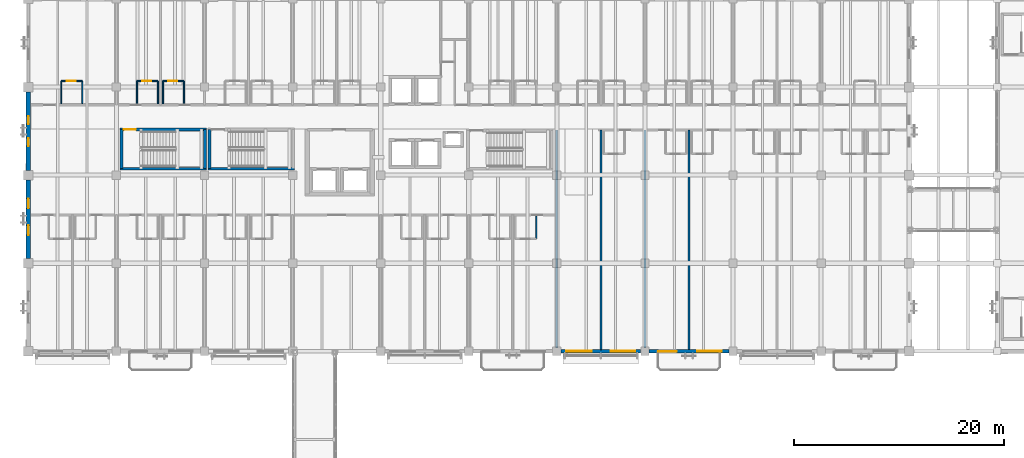
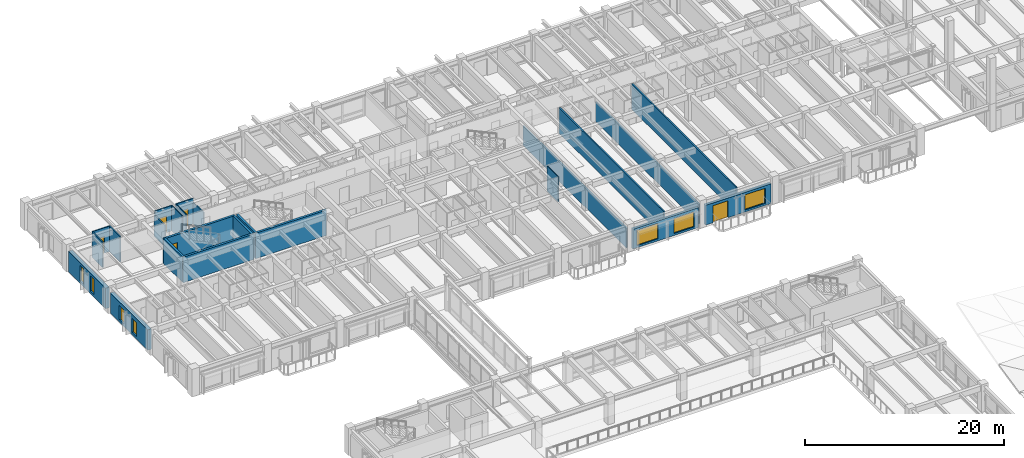
# One storey, part 85 of 123: 24 walls, 7 windows, 5 doors, 12 openings.
"""IFC4 building model written with IfcOpenShell, lengths in metres."""

import ifcopenshell
import ifcopenshell.guid

model = None  # the IFC model being written
_history = None  # IfcOwnerHistory: only IFC2X3 demands one
_inside = {}  # id of a spatial element -> (the spatial element, [elements in it])
_under = {}  # id of a project, library or spatial element -> (it, [spatial elements below it])
_declared = {}  # id of a project -> (the project, [libraries it declares])
_typed = {}  # id of a type object -> (the type object, [elements of that type])
_made_of = {}  # id of a material, layer set ... -> (it, [elements and type objects made of it])


def new_model(schema):
    """Start an empty IFC model of exactly this schema.

    Asked for "IFC4X3", IfcOpenShell would pick the latest addendum, in which some entities
    have other attributes; the version numbers below select the first issue.
    IFC2X3 requires an IfcOwnerHistory on every rooted entity: one is made here for all.
    """
    global model, _history
    if schema == "IFC4X3":
        model = ifcopenshell.file(schema_version=(4, 3, 0, 0))
    else:
        model = ifcopenshell.file(schema=schema)
    _inside.clear()
    _under.clear()
    _declared.clear()
    _typed.clear()
    _made_of.clear()
    _history = None
    if model.schema == "IFC2X3":
        org = make("IfcOrganization", Name="unknown")
        user = make(
            "IfcPersonAndOrganization",
            ThePerson=make("IfcPerson", FamilyName="unknown"),
            TheOrganization=org,
        )
        app = make(
            "IfcApplication",
            ApplicationDeveloper=org,
            Version="unknown",
            ApplicationFullName="unknown",
            ApplicationIdentifier="unknown",
        )
        _history = make(
            "IfcOwnerHistory",
            OwningUser=user,
            OwningApplication=app,
            ChangeAction="ADDED",
            CreationDate=0,
        )
    return model


def make(cls, **values):
    """One entity of the class cls with the attributes given. An attribute that is None is left unset."""
    return model.create_entity(
        cls, **{name: value for name, value in values.items() if value is not None}
    )


def rooted(cls, **values):
    """An entity with a GlobalId (a new one), such as an element, a storey or a relation."""
    return make(cls, GlobalId=ifcopenshell.guid.new(), OwnerHistory=_history, **values)


def si_unit(unit_type, name, prefix=None):
    """IfcSIUnit, for example si_unit("LENGTHUNIT", "METRE", prefix="MILLI")."""
    return make("IfcSIUnit", UnitType=unit_type, Prefix=prefix, Name=name)


def assignment(units):
    """IfcUnitAssignment: the units of a project."""
    return None if units is None else make("IfcUnitAssignment", Units=units)


def point(xyz):
    """IfcCartesianPoint."""
    return None if xyz is None else make("IfcCartesianPoint", Coordinates=xyz)


def direction(xyz):
    """IfcDirection."""
    return None if xyz is None else make("IfcDirection", DirectionRatios=xyz)


def frame(location, z_axis=None, x_axis=None):
    """IfcAxis2Placement3D, a coordinate frame: its origin and axes. An axis left out is left unset."""
    return make(
        "IfcAxis2Placement3D",
        Location=point(location),
        Axis=direction(z_axis),
        RefDirection=direction(x_axis),
    )


def frame_2d(location, x_axis=None):
    """IfcAxis2Placement2D, a coordinate frame in the plane: its origin and x axis."""
    return make(
        "IfcAxis2Placement2D", Location=point(location), RefDirection=direction(x_axis)
    )


def origin():
    """The frame at (0, 0, 0) with its axes left unset."""
    return frame((0.0, 0.0, 0.0))


def place(relative_to, where):
    """IfcLocalPlacement: puts the frame where relative to a parent placement (None: the world)."""
    return make(
        "IfcLocalPlacement", PlacementRelTo=relative_to, RelativePlacement=where
    )


def context(
    kind, dimensions, precision=None, world=None, true_north=None, identifier=None
):
    """IfcGeometricRepresentationContext, for example the 3D "Model" context."""
    return make(
        "IfcGeometricRepresentationContext",
        ContextIdentifier=identifier,
        ContextType=kind,
        CoordinateSpaceDimension=dimensions,
        Precision=precision,
        WorldCoordinateSystem=world,
        TrueNorth=true_north,
    )


def subcontext(parent, identifier, kind, view, scale=None):
    """IfcGeometricRepresentationSubContext, for example "Body" below "Model"."""
    return make(
        "IfcGeometricRepresentationSubContext",
        ContextIdentifier=identifier,
        ContextType=kind,
        ParentContext=parent,
        TargetScale=scale,
        TargetView=view,
    )


def project(units=None, contexts=None):
    """IfcProject with its units and contexts."""
    return rooted(
        "IfcProject",
        Name="project",
        RepresentationContexts=contexts,
        UnitsInContext=assignment(units),
    )


def spatial(cls, under=None, at=None, **own):
    """A site, building, storey or space (cls), placed at a placement, below another one or the project."""
    s = rooted(cls, ObjectPlacement=at, **own)
    if under is not None:
        _under.setdefault(under.id(), (under, []))[1].append(s)
    return s


def profile(cls, at=None, kind="AREA", **sizes):
    """A parametric profile (cls). Its sizes go by their IFC names, for example OverallWidth=200.0."""
    return make(cls, ProfileType=kind, Position=at, **sizes)


def rectangle(**sizes):
    """IfcRectangleProfileDef."""
    return profile("IfcRectangleProfileDef", **sizes)


def extrude(swept, where, along, depth):
    """IfcExtrudedAreaSolid: the profile swept, set in the frame where, extruded along a direction by depth."""
    return make(
        "IfcExtrudedAreaSolid",
        SweptArea=swept,
        Position=where,
        ExtrudedDirection=direction(along),
        Depth=depth,
    )


def shape(context_of_items, identifier, shape_type, items):
    """IfcShapeRepresentation: the items that make up one representation, for example the "Body"."""
    return make(
        "IfcShapeRepresentation",
        ContextOfItems=context_of_items,
        RepresentationIdentifier=identifier,
        RepresentationType=shape_type,
        Items=items,
    )


def material(Name=None, Category=None):
    """IfcMaterial."""
    return make("IfcMaterial", Name=Name, Category=Category)


def layer(
    of_material, thickness, ventilated=None, Name=None, Category=None, Priority=None
):
    """IfcMaterialLayer: one layer of a wall or slab, of a material (None: an air gap)."""
    return make(
        "IfcMaterialLayer",
        Material=of_material,
        LayerThickness=thickness,
        IsVentilated=ventilated,
        Name=Name,
        Category=Category,
        Priority=Priority,
    )


def layer_set(layers, Name=None):
    """IfcMaterialLayerSet."""
    return make("IfcMaterialLayerSet", MaterialLayers=layers, LayerSetName=Name)


def made_of(thing, what):
    """Note that an element or type object is made of a material, layer set ...; save() writes the relation."""
    if what is not None:
        _made_of.setdefault(what.id(), (what, []))[1].append(thing)
    return thing


def type_object(cls, material=None, **own):
    """A type object (cls), such as IfcWallType, which elements share."""
    return made_of(rooted(cls, **own), material)


def element(
    cls,
    number,
    at=None,
    inside=None,
    cuts=None,
    type_object=None,
    material=None,
    context=None,
    identifier="Body",
    shape_type=None,
    held_by="IfcProductDefinitionShape",
    body=None,
    shapes=None,
    **own,
):
    """One element of the class cls, such as IfcWall. Its Tag is "e" and its number.

    at: its placement. inside: the storey or other place that contains it. cuts: it is an
    opening in that element (IfcRelVoidsElement). A single representation is given by context,
    identifier, shape_type and body (its items); several are given by shapes. held_by: the class
    of the entity that holds the representations. save() writes the other relations.
    """
    e = rooted(cls, Tag="e%d" % number, ObjectPlacement=at, **own)
    if body is not None:
        shapes = [shape(context, identifier, shape_type, body)]
    if shapes is not None:
        e.Representation = make(held_by, Representations=shapes)
    if inside is not None:
        _inside.setdefault(inside.id(), (inside, []))[1].append(e)
    if cuts is not None:
        rooted(
            "IfcRelVoidsElement", RelatingBuildingElement=cuts, RelatedOpeningElement=e
        )
    if type_object is not None:
        _typed.setdefault(type_object.id(), (type_object, []))[1].append(e)
    return made_of(e, material)


def fill(opening, filler):
    """IfcRelFillsElement: the door or window that sits in an opening."""
    return rooted(
        "IfcRelFillsElement",
        RelatingOpeningElement=opening,
        RelatedBuildingElement=filler,
    )


def aggregate(whole, parts):
    """IfcRelAggregates: a whole, such as a stair, and the parts it consists of."""
    return rooted("IfcRelAggregates", RelatingObject=whole, RelatedObjects=parts)


def save(model, path):
    """Write the relations noted so far, then the file.

    IfcRelAggregates (storeys below a building ...), IfcRelContainedInSpatialStructure (elements
    in a storey), IfcRelDefinesByType, IfcRelAssociatesMaterial and IfcRelDeclares: one each for
    every whole, place, type object, material and project.
    """
    for whole, parts in _under.values():
        aggregate(whole, parts)
    for where, things in _inside.values():
        rooted(
            "IfcRelContainedInSpatialStructure",
            RelatedElements=things,
            RelatingStructure=where,
        )
    for kind, things in _typed.values():
        rooted("IfcRelDefinesByType", RelatedObjects=things, RelatingType=kind)
    for what, things in _made_of.values():
        rooted("IfcRelAssociatesMaterial", RelatedObjects=things, RelatingMaterial=what)
    for by, libraries in _declared.values():
        rooted("IfcRelDeclares", RelatingContext=by, RelatedDefinitions=libraries)
    model.write(path)


model = new_model("IFC4")

# Units and contexts
model_context = context("Model", 3, precision=1e-05, world=origin(), true_north=direction((0.0, 1.0)))
body_context = subcontext(model_context, "Body", "Model", "MODEL_VIEW")
ifc_project = project(units=[si_unit("LENGTHUNIT", "METRE"), si_unit("AREAUNIT", "SQUARE_METRE"), si_unit("VOLUMEUNIT", "CUBIC_METRE"), si_unit("PLANEANGLEUNIT", "RADIAN"), si_unit("MASSUNIT", "GRAM", prefix="KILO")], contexts=[model_context])

# Site, building, storey
site_placement = place(None, origin())
site = spatial("IfcSite", under=ifc_project, at=site_placement, CompositionType="ELEMENT")
building_placement = place(site_placement, origin())
building = spatial("IfcBuilding", under=site, at=building_placement, Name="Cumbredor Promenade Congress Hotel", CompositionType="ELEMENT")
storey_placement = place(building_placement, frame((0.0, 0.0, 11.760009765625)))
storey = spatial("IfcBuildingStorey", under=building, at=storey_placement, Name="L03", CompositionType="ELEMENT", Elevation=11.760009765625)

# Wall, opening, door
ifc_material_1 = material(Name="Moisture-resistant gypsum board on steel studs", Category="steel")
ifc_layer_1 = layer(ifc_material_1, 0.114990234375, Name="Moisture-resistant gypsum board on steel studs", Category="steel")
ifc_layer_set_1 = layer_set([ifc_layer_1], Name="Moisture-resistant gypsum board on steel studs")
wall_type_1 = type_object("IfcWallType", Name="WL-BATH-115", PredefinedType="PARTITIONING", material=ifc_layer_set_1)
wall_1_placement = place(storey_placement, frame((3.14990234375, 109.77001953125, 0.0), z_axis=(0.0, 0.0, 1.0), x_axis=(1.0, 0.0, 0.0)))
wall_1 = element("IfcWall", 1, at=wall_1_placement, inside=storey, type_object=wall_type_1, Name="L03 Interior Partition W-L03-BH-0301", PredefinedType="PARTITIONING", context=body_context, shape_type="SweptSolid", body=[
    extrude(rectangle(XDim=2.0, YDim=0.114990234375, at=frame_2d((1.0, 0.0))), origin(), (0.0, 0.0, 1.0), 3.119873046875),
])
opening_1_placement = place(wall_1_placement, frame((0.5, 0.0, 0.0)))
opening_1 = element("IfcOpeningElement", 2, at=opening_1_placement, cuts=wall_1, Name="Opening ID-01", PredefinedType="OPENING", context=body_context, shape_type="SweptSolid", body=[
    extrude(rectangle(XDim=0.860107421875, YDim=2.050048828125, at=frame_2d((0.43017578125, 1.02490234375))), frame((0.0, 0.0673828125, 0.0), z_axis=(0.0, -1.0, 0.0), x_axis=(1.0, 0.0, 0.0)), (0.0, 0.0, 1.0), 0.135009765625),
])
ifc_material_2 = material(Name="Kiln-dried tropical hardwood", Category="wood")
door_type_1 = type_object("IfcDoorType", Name="DR-BATH-860", OperationType="NOTDEFINED", PredefinedType="DOOR", material=ifc_material_2)
door_1_placement = place(opening_1_placement, origin())
door_1 = element("IfcDoor", 3, at=door_1_placement, inside=storey, type_object=door_type_1, Name="L03 Interior Door W-L03-BH-0301-01", OperationType="SINGLE_SWING_LEFT", OverallHeight=2.050048828125, OverallWidth=0.860107421875, PredefinedType="DOOR", context=body_context, shape_type="SweptSolid", body=[
    extrude(rectangle(XDim=0.860107421875, YDim=2.050048828125, at=frame_2d((0.43017578125, 1.02490234375))), frame((0.0, 0.02490234375, 0.0), z_axis=(0.0, -1.0, 0.0), x_axis=(1.0, 0.0, 0.0)), (0.0, 0.0, 1.0), 0.050048828125),
])
fill(opening_1, door_1)

# Walls
for number, where, z_axis, x_axis, name in (
    (4, (3.14990234375, 107.6201171875, 0.0), (0.0, 0.0, 1.0), (0.0, 1.0, 0.0), "L03 Interior Partition W-L03-BV1-0301"),
    (5, (5.14990234375, 107.6201171875, 0.0), (0.0, 0.0, 1.0), (0.0, 1.0, 0.0), "L03 Interior Partition W-L03-BV2-0301"),
):
    element("IfcWall", number, at=place(storey_placement, frame(where, z_axis=z_axis, x_axis=x_axis)), inside=storey, type_object=wall_type_1, Name=name, PredefinedType="PARTITIONING", context=body_context, shape_type="SweptSolid", body=[
        extrude(rectangle(XDim=2.14990234375, YDim=0.114990234375, at=frame_2d((1.074951171875, 0.0))), origin(), (0.0, 0.0, 1.0), 3.119873046875),
    ])

# Wall, opening, door
wall_2_placement = place(storey_placement, frame((10.360107421875, 109.77001953125, 0.0), z_axis=(0.0, 0.0, 1.0), x_axis=(1.0, 0.0, 0.0)))
wall_2 = element("IfcWall", 6, at=wall_2_placement, inside=storey, type_object=wall_type_1, Name="L03 Interior Partition W-L03-BH-0302", PredefinedType="PARTITIONING", context=body_context, shape_type="SweptSolid", body=[
    extrude(rectangle(XDim=2.0, YDim=0.114990234375, at=frame_2d((1.0, 0.0))), origin(), (0.0, 0.0, 1.0), 3.119873046875),
])
opening_2_placement = place(wall_2_placement, frame((0.5, 0.0, 0.0)))
opening_2 = element("IfcOpeningElement", 7, at=opening_2_placement, cuts=wall_2, Name="Opening ID-01", PredefinedType="OPENING", context=body_context, shape_type="SweptSolid", body=[
    extrude(rectangle(XDim=0.860107421875, YDim=2.050048828125, at=frame_2d((0.43017578125, 1.02490234375))), frame((0.0, 0.0673828125, 0.0), z_axis=(0.0, -1.0, 0.0), x_axis=(1.0, 0.0, 0.0)), (0.0, 0.0, 1.0), 0.135009765625),
])
door_2_placement = place(opening_2_placement, origin())
door_2 = element("IfcDoor", 8, at=door_2_placement, inside=storey, type_object=door_type_1, Name="L03 Interior Door W-L03-BH-0302-01", OperationType="SINGLE_SWING_RIGHT", OverallHeight=2.050048828125, OverallWidth=0.860107421875, PredefinedType="DOOR", context=body_context, shape_type="SweptSolid", body=[
    extrude(rectangle(XDim=0.860107421875, YDim=2.050048828125, at=frame_2d((0.43017578125, 1.02490234375))), frame((0.0, 0.02490234375, 0.0), z_axis=(0.0, -1.0, 0.0), x_axis=(1.0, 0.0, 0.0)), (0.0, 0.0, 1.0), 0.050048828125),
])
fill(opening_2, door_2)

# Walls
wall_3_placement = place(storey_placement, frame((10.360107421875, 107.6201171875, 0.0), z_axis=(0.0, 0.0, 1.0), x_axis=(0.0, 1.0, 0.0)))
element("IfcWall", 9, at=wall_3_placement, inside=storey, type_object=wall_type_1, Name="L03 Interior Partition W-L03-BV1-0302", PredefinedType="PARTITIONING", context=body_context, shape_type="SweptSolid", body=[
    extrude(rectangle(XDim=2.14990234375, YDim=0.114990234375, at=frame_2d((1.074951171875, 0.0))), origin(), (0.0, 0.0, 1.0), 2.64208984375),
])
wall_4_placement = place(storey_placement, frame((12.360107421875, 107.6201171875, 0.0), z_axis=(0.0, 0.0, 1.0), x_axis=(0.0, 1.0, 0.0)))
element("IfcWall", 10, at=wall_4_placement, inside=storey, type_object=wall_type_1, Name="L03 Interior Partition W-L03-BV2-0302", PredefinedType="PARTITIONING", context=body_context, shape_type="SweptSolid", body=[
    extrude(rectangle(XDim=2.14990234375, YDim=0.114990234375, at=frame_2d((1.074951171875, 0.0))), origin(), (0.0, 0.0, 1.0), 3.119873046875),
])

# Wall, opening, door
wall_5_placement = place(storey_placement, frame((12.840087890625, 109.77001953125, 0.0), z_axis=(0.0, 0.0, 1.0), x_axis=(1.0, 0.0, 0.0)))
wall_5 = element("IfcWall", 11, at=wall_5_placement, inside=storey, type_object=wall_type_1, Name="L03 Interior Partition W-L03-BH-0303", PredefinedType="PARTITIONING", context=body_context, shape_type="SweptSolid", body=[
    extrude(rectangle(XDim=2.0, YDim=0.114990234375, at=frame_2d((1.0, 0.0))), origin(), (0.0, 0.0, 1.0), 3.119873046875),
])
opening_3_placement = place(wall_5_placement, frame((0.5, 0.0, 0.0)))
opening_3 = element("IfcOpeningElement", 12, at=opening_3_placement, cuts=wall_5, Name="Opening ID-01", PredefinedType="OPENING", context=body_context, shape_type="SweptSolid", body=[
    extrude(rectangle(XDim=0.860107421875, YDim=2.050048828125, at=frame_2d((0.43017578125, 1.02490234375))), frame((0.0, 0.0673828125, 0.0), z_axis=(0.0, -1.0, 0.0), x_axis=(1.0, 0.0, 0.0)), (0.0, 0.0, 1.0), 0.135009765625),
])
door_3_placement = place(opening_3_placement, origin())
door_3 = element("IfcDoor", 13, at=door_3_placement, inside=storey, type_object=door_type_1, Name="L03 Interior Door W-L03-BH-0303-01", OperationType="SINGLE_SWING_LEFT", OverallHeight=2.050048828125, OverallWidth=0.860107421875, PredefinedType="DOOR", context=body_context, shape_type="SweptSolid", body=[
    extrude(rectangle(XDim=0.860107421875, YDim=2.050048828125, at=frame_2d((0.43017578125, 1.02490234375))), frame((0.0, 0.02490234375, 0.0), z_axis=(0.0, -1.0, 0.0), x_axis=(1.0, 0.0, 0.0)), (0.0, 0.0, 1.0), 0.050048828125),
])
fill(opening_3, door_3)

# Walls
wall_6_placement = place(storey_placement, frame((12.840087890625, 107.6201171875, 0.0), z_axis=(0.0, 0.0, 1.0), x_axis=(0.0, 1.0, 0.0)))
element("IfcWall", 14, at=wall_6_placement, inside=storey, type_object=wall_type_1, Name="L03 Interior Partition W-L03-BV1-0303", PredefinedType="PARTITIONING", context=body_context, shape_type="SweptSolid", body=[
    extrude(rectangle(XDim=2.14990234375, YDim=0.114990234375, at=frame_2d((1.074951171875, 0.0))), origin(), (0.0, 0.0, 1.0), 3.119873046875),
])
wall_7_placement = place(storey_placement, frame((14.840087890625, 107.6201171875, 0.0), z_axis=(0.0, 0.0, 1.0), x_axis=(0.0, 1.0, 0.0)))
element("IfcWall", 15, at=wall_7_placement, inside=storey, type_object=wall_type_1, Name="L03 Interior Partition W-L03-BV2-0303", PredefinedType="PARTITIONING", context=body_context, shape_type="SweptSolid", body=[
    extrude(rectangle(XDim=2.14990234375, YDim=0.114990234375, at=frame_2d((1.074951171875, 0.0))), origin(), (0.0, 0.0, 1.0), 2.64208984375),
])
wall_8_placement = place(storey_placement, frame((48.43994140625, 94.72998046875, 0.0), z_axis=(0.0, 0.0, 1.0), x_axis=(0.0, 1.0, 0.0)))
element("IfcWall", 16, at=wall_8_placement, inside=storey, type_object=wall_type_1, Name="L03 Interior Partition W-L03-BV2-03712", PredefinedType="PARTITIONING", context=body_context, shape_type="SweptSolid", body=[
    extrude(rectangle(XDim=2.14990234375, YDim=0.114990234375, at=frame_2d((1.074951171875, 0.0))), origin(), (0.0, 0.0, 1.0), 3.119873046875),
])

# Wall, openings, windows
ifc_material_3 = material(Name="Concrete C40/50", Category="concrete")
ifc_layer_2 = layer(ifc_material_3, 0.324951171875, Name="Concrete C40/50", Category="concrete")
ifc_layer_set_2 = layer_set([ifc_layer_2], Name="Concrete C40/50")
wall_type_2 = type_object("IfcWallType", Name="WL-EXT-325", PredefinedType="SOLIDWALL", material=ifc_layer_set_2)
wall_9_placement = place(storey_placement, frame((50.801025390625, 84.0, 0.0), z_axis=(0.0, 0.0, 1.0), x_axis=(1.0, 0.0, 0.0)))
wall_9 = element("IfcWall", 17, at=wall_9_placement, inside=storey, type_object=wall_type_2, Name="L03 Stepped Congress Hotel Wing South Envelope Wall 7", PredefinedType="SOLIDWALL", context=body_context, shape_type="SweptSolid", body=[
    extrude(rectangle(XDim=7.597900390625, YDim=0.324951171875, at=frame_2d((3.798828125, 0.0))), origin(), (0.0, 0.0, 1.0), 2.4140625),
])
opening_4_placement = place(wall_9_placement, frame((0.489013671875, 0.0, 0.25)))
opening_4 = element("IfcOpeningElement", 18, at=opening_4_placement, cuts=wall_9, Name="Opening WN-37", PredefinedType="OPENING", context=body_context, shape_type="SweptSolid", body=[
    extrude(rectangle(XDim=2.419921875, YDim=1.89990234375, at=frame_2d((1.2099609375, 0.949951171875))), frame((0.0, 0.17236328125, 0.0), z_axis=(0.0, -1.0, 0.0), x_axis=(1.0, 0.0, 0.0)), (0.0, 0.0, 1.0), 0.344970703125),
])
opening_5_placement = place(wall_9_placement, frame((4.72412109375, 0.0, 0.25)))
opening_5 = element("IfcOpeningElement", 19, at=opening_5_placement, cuts=wall_9, Name="Opening WN-02", PredefinedType="OPENING", context=body_context, shape_type="SweptSolid", body=[
    extrude(rectangle(XDim=2.35009765625, YDim=1.85009765625, at=frame_2d((1.175048828125, 0.925048828125))), frame((0.0, 0.17236328125, 0.0), z_axis=(0.0, -1.0, 0.0), x_axis=(1.0, 0.0, 0.0)), (0.0, 0.0, 1.0), 0.344970703125),
])
ifc_material_4 = material(Name="Thermally broken anodized aluminium and low-E glass", Category="aluminium")
window_type_1 = type_object("IfcWindowType", Name="Hospitality Floor-to-Ceiling Window WN-02 2350x1850", PartitioningType="DOUBLE_PANEL_VERTICAL", PredefinedType="WINDOW", material=ifc_material_4)
window_1_placement = place(opening_5_placement, origin())
window_1 = element("IfcWindow", 20, at=window_1_placement, inside=storey, type_object=window_type_1, Name="L03 Wide Hospitality Window 0411", OverallHeight=1.85009765625, OverallWidth=2.35009765625, PartitioningType="DOUBLE_PANEL_VERTICAL", PredefinedType="WINDOW", context=body_context, shape_type="SweptSolid", body=[
    extrude(rectangle(XDim=2.35009765625, YDim=1.85009765625, at=frame_2d((1.175048828125, 0.925048828125))), frame((0.0, 0.030029296875, 0.0), z_axis=(0.0, -1.0, 0.0), x_axis=(1.0, 0.0, 0.0)), (0.0, 0.0, 1.0), 0.06005859375),
])
fill(opening_5, window_1)
window_type_2 = type_object("IfcWindowType", Name="Hospitality Floor-to-Ceiling Window WN-37 2420x1900", PartitioningType="DOUBLE_PANEL_VERTICAL", PredefinedType="WINDOW", material=ifc_material_4)
window_2_placement = place(opening_4_placement, origin())
window_2 = element("IfcWindow", 21, at=window_2_placement, inside=storey, type_object=window_type_2, Name="L03 Wide Hospitality Window 0410", OverallHeight=1.89990234375, OverallWidth=2.419921875, PartitioningType="DOUBLE_PANEL_VERTICAL", PredefinedType="WINDOW", context=body_context, shape_type="SweptSolid", body=[
    extrude(rectangle(XDim=2.419921875, YDim=1.89990234375, at=frame_2d((1.2099609375, 0.949951171875))), frame((0.0, 0.030029296875, 0.0), z_axis=(0.0, -1.0, 0.0), x_axis=(1.0, 0.0, 0.0)), (0.0, 0.0, 1.0), 0.06005859375),
])
fill(opening_4, window_2)

# Wall, openings, door, window
ifc_layer_3 = layer(ifc_material_3, 0.35009765625, Name="Concrete C40/50", Category="concrete")
ifc_layer_set_3 = layer_set([ifc_layer_3], Name="Concrete C40/50")
wall_type_3 = type_object("IfcWallType", Name="WL-EXT-350", PredefinedType="SOLIDWALL", material=ifc_layer_set_3)
wall_10_placement = place(storey_placement, frame((59.200927734375, 84.0, 0.0), z_axis=(0.0, 0.0, 1.0), x_axis=(1.0, 0.0, 0.0)))
wall_10 = element("IfcWall", 22, at=wall_10_placement, inside=storey, type_object=wall_type_3, Name="L03 Stepped Congress Hotel Wing South Envelope Wall 8", PredefinedType="SOLIDWALL", context=body_context, shape_type="SweptSolid", body=[
    extrude(rectangle(XDim=7.59814453125, YDim=0.35009765625, at=frame_2d((3.799072265625, 0.0))), origin(), (0.0, 0.0, 1.0), 2.4140625),
])
opening_6_placement = place(wall_10_placement, frame((0.8740234375, 0.0, 0.0)))
opening_6 = element("IfcOpeningElement", 23, at=opening_6_placement, cuts=wall_10, Name="Opening TD-03", PredefinedType="OPENING", context=body_context, shape_type="SweptSolid", body=[
    extrude(rectangle(XDim=1.75, YDim=2.080078125, at=frame_2d((0.875, 1.0400390625))), frame((0.0, 0.18505859375, 0.0), z_axis=(0.0, -1.0, 0.0), x_axis=(1.0, 0.0, 0.0)), (0.0, 0.0, 1.0), 0.3701171875),
])
opening_7_placement = place(wall_10_placement, frame((4.573974609375, 0.0, 0.25)))
opening_7 = element("IfcOpeningElement", 24, at=opening_7_placement, cuts=wall_10, Name="Opening WN-02", PredefinedType="OPENING", context=body_context, shape_type="SweptSolid", body=[
    extrude(rectangle(XDim=2.35009765625, YDim=1.85009765625, at=frame_2d((1.175048828125, 0.925048828125))), frame((0.0, 0.18505859375, 0.0), z_axis=(0.0, -1.0, 0.0), x_axis=(1.0, 0.0, 0.0)), (0.0, 0.0, 1.0), 0.3701171875),
])
ifc_material_5 = material(Name="Thermally broken anodized aluminium and laminated safety glass", Category="aluminium")
door_type_2 = type_object("IfcDoorType", Name="EXT-DR-TER-1750x2080", OperationType="DOUBLE_DOOR_SINGLE_SWING", PredefinedType="DOOR", material=ifc_material_5)
door_4_placement = place(opening_6_placement, frame((1.75, 0.0, 0.0), z_axis=(0.0, 0.0, 1.0), x_axis=(-1.0, 0.0, 0.0)))
door_4 = element("IfcDoor", 25, at=door_4_placement, inside=storey, type_object=door_type_2, Name="L03 Guestroom Veranda Balcony Door 044", OperationType="DOUBLE_DOOR_SINGLE_SWING", OverallHeight=2.080078125, OverallWidth=1.75, PredefinedType="DOOR", context=body_context, shape_type="SweptSolid", body=[
    extrude(rectangle(XDim=1.75, YDim=2.080078125, at=frame_2d((0.875, 1.0400390625))), frame((0.0, 0.02490234375, 0.0), z_axis=(0.0, -1.0, 0.0), x_axis=(1.0, 0.0, 0.0)), (0.0, 0.0, 1.0), 0.050048828125),
])
fill(opening_6, door_4)
window_3_placement = place(opening_7_placement, origin())
window_3 = element("IfcWindow", 26, at=window_3_placement, inside=storey, type_object=window_type_1, Name="L03 Veranda Companion Floor-to-Ceiling Window 0412", OverallHeight=1.85009765625, OverallWidth=2.35009765625, PartitioningType="DOUBLE_PANEL_VERTICAL", PredefinedType="WINDOW", context=body_context, shape_type="SweptSolid", body=[
    extrude(rectangle(XDim=2.35009765625, YDim=1.85009765625, at=frame_2d((1.175048828125, 0.925048828125))), frame((0.0, 0.030029296875, 0.0), z_axis=(0.0, -1.0, 0.0), x_axis=(1.0, 0.0, 0.0)), (0.0, 0.0, 1.0), 0.06005859375),
])
fill(opening_7, window_3)

# Wall, openings, windows
ifc_layer_4 = layer(ifc_material_3, 0.425048828125, Name="Concrete C40/50", Category="concrete")
ifc_layer_set_4 = layer_set([ifc_layer_4], Name="Concrete C40/50")
wall_type_4 = type_object("IfcWallType", Name="WL-EXT-425", PredefinedType="SOLIDWALL", material=ifc_layer_set_4)
wall_11_placement = place(storey_placement, frame((0.0, 92.85107421875, 0.0), z_axis=(0.0, 0.0, 1.0), x_axis=(0.0, 1.0, 0.0)))
wall_11 = element("IfcWall", 27, at=wall_11_placement, inside=storey, type_object=wall_type_4, Name="L03 Stepped Congress Hotel Wing West Envelope Wall 2", PredefinedType="SOLIDWALL", context=body_context, shape_type="SweptSolid", body=[
    extrude(rectangle(XDim=7.498046875, YDim=0.425048828125, at=frame_2d((3.7490234375, 0.0))), origin(), (0.0, 0.0, 1.0), 2.493896484375),
])
opening_8_placement = place(wall_11_placement, frame((2.239013671875, 0.0, 0.300048828125)))
opening_8 = element("IfcOpeningElement", 28, at=opening_8_placement, cuts=wall_11, Name="Opening WN-63", PredefinedType="OPENING", context=body_context, shape_type="SweptSolid", body=[
    extrude(rectangle(XDim=0.919921875, YDim=1.75, at=frame_2d((0.4599609375, 0.875))), frame((0.0, 0.22265625, 0.0), z_axis=(0.0, -1.0, 0.0), x_axis=(1.0, 0.0, 0.0)), (0.0, 0.0, 1.0), 0.445068359375),
])
opening_9_placement = place(wall_11_placement, frame((4.7890625, 0.0, 0.300048828125)))
opening_9 = element("IfcOpeningElement", 29, at=opening_9_placement, cuts=wall_11, Name="Opening WN-63", PredefinedType="OPENING", context=body_context, shape_type="SweptSolid", body=[
    extrude(rectangle(XDim=0.919921875, YDim=1.75, at=frame_2d((0.4599609375, 0.875))), frame((0.0, 0.22265625, 0.0), z_axis=(0.0, -1.0, 0.0), x_axis=(1.0, 0.0, 0.0)), (0.0, 0.0, 1.0), 0.445068359375),
])
window_type_3 = type_object("IfcWindowType", Name="Vertical Slot Window WN-63 920x1750", PartitioningType="SINGLE_PANEL", PredefinedType="WINDOW", material=ifc_material_4)
window_4_placement = place(opening_8_placement, origin())
window_4 = element("IfcWindow", 30, at=window_4_placement, inside=storey, type_object=window_type_3, Name="L03 Vertical Slot Window 0432", OverallHeight=1.75, OverallWidth=0.919921875, PartitioningType="SINGLE_PANEL", PredefinedType="WINDOW", context=body_context, shape_type="SweptSolid", body=[
    extrude(rectangle(XDim=0.919921875, YDim=1.75, at=frame_2d((0.4599609375, 0.875))), frame((0.0, 0.030029296875, 0.0), z_axis=(0.0, -1.0, 0.0), x_axis=(1.0, 0.0, 0.0)), (0.0, 0.0, 1.0), 0.06005859375),
])
fill(opening_8, window_4)
window_5_placement = place(opening_9_placement, origin())
window_5 = element("IfcWindow", 31, at=window_5_placement, inside=storey, type_object=window_type_3, Name="L03 Vertical Slot Window 0433", OverallHeight=1.75, OverallWidth=0.919921875, PartitioningType="SINGLE_PANEL", PredefinedType="WINDOW", context=body_context, shape_type="SweptSolid", body=[
    extrude(rectangle(XDim=0.919921875, YDim=1.75, at=frame_2d((0.4599609375, 0.875))), frame((0.0, 0.030029296875, 0.0), z_axis=(0.0, -1.0, 0.0), x_axis=(1.0, 0.0, 0.0)), (0.0, 0.0, 1.0), 0.06005859375),
])
fill(opening_9, window_5)

ifc_layer_5 = layer(ifc_material_3, 0.449951171875, Name="Concrete C40/50", Category="concrete")
ifc_layer_set_5 = layer_set([ifc_layer_5], Name="Concrete C40/50")
wall_type_5 = type_object("IfcWallType", Name="WL-EXT-450", PredefinedType="SOLIDWALL", material=ifc_layer_set_5)
wall_12_placement = place(storey_placement, frame((0.0, 101.2509765625, 0.0), z_axis=(0.0, 0.0, 1.0), x_axis=(0.0, 1.0, 0.0)))
wall_12 = element("IfcWall", 32, at=wall_12_placement, inside=storey, type_object=wall_type_5, Name="L03 Stepped Congress Hotel Wing West Envelope Wall 3", PredefinedType="SOLIDWALL", context=body_context, shape_type="SweptSolid", body=[
    extrude(rectangle(XDim=7.498046875, YDim=0.449951171875, at=frame_2d((3.7490234375, 0.0))), origin(), (0.0, 0.0, 1.0), 2.493896484375),
])
opening_10_placement = place(wall_12_placement, frame((2.31396484375, 0.0, 0.300048828125)))
opening_10 = element("IfcOpeningElement", 33, at=opening_10_placement, cuts=wall_12, Name="Opening WN-66", PredefinedType="OPENING", context=body_context, shape_type="SweptSolid", body=[
    extrude(rectangle(XDim=0.77001953125, YDim=1.89990234375, at=frame_2d((0.385009765625, 0.949951171875))), frame((0.0, 0.23486328125, 0.0), z_axis=(0.0, -1.0, 0.0), x_axis=(1.0, 0.0, 0.0)), (0.0, 0.0, 1.0), 0.469970703125),
])
opening_11_placement = place(wall_12_placement, frame((4.4140625, 0.0, 0.300048828125)))
opening_11 = element("IfcOpeningElement", 34, at=opening_11_placement, cuts=wall_12, Name="Opening WN-66", PredefinedType="OPENING", context=body_context, shape_type="SweptSolid", body=[
    extrude(rectangle(XDim=0.77001953125, YDim=1.89990234375, at=frame_2d((0.385009765625, 0.949951171875))), frame((0.0, 0.23486328125, 0.0), z_axis=(0.0, -1.0, 0.0), x_axis=(1.0, 0.0, 0.0)), (0.0, 0.0, 1.0), 0.469970703125),
])
window_type_4 = type_object("IfcWindowType", Name="Vertical Slot Window WN-66 770x1900", PartitioningType="SINGLE_PANEL", PredefinedType="WINDOW", material=ifc_material_4)
window_6_placement = place(opening_10_placement, origin())
window_6 = element("IfcWindow", 35, at=window_6_placement, inside=storey, type_object=window_type_4, Name="L03 Vertical Slot Window 0434", OverallHeight=1.89990234375, OverallWidth=0.77001953125, PartitioningType="SINGLE_PANEL", PredefinedType="WINDOW", context=body_context, shape_type="SweptSolid", body=[
    extrude(rectangle(XDim=0.77001953125, YDim=1.89990234375, at=frame_2d((0.385009765625, 0.949951171875))), frame((0.0, 0.030029296875, 0.0), z_axis=(0.0, -1.0, 0.0), x_axis=(1.0, 0.0, 0.0)), (0.0, 0.0, 1.0), 0.06005859375),
])
fill(opening_10, window_6)
window_7_placement = place(opening_11_placement, origin())
window_7 = element("IfcWindow", 36, at=window_7_placement, inside=storey, type_object=window_type_4, Name="L03 Vertical Slot Window 0435", OverallHeight=1.89990234375, OverallWidth=0.77001953125, PartitioningType="SINGLE_PANEL", PredefinedType="WINDOW", context=body_context, shape_type="SweptSolid", body=[
    extrude(rectangle(XDim=0.77001953125, YDim=1.89990234375, at=frame_2d((0.385009765625, 0.949951171875))), frame((0.0, 0.030029296875, 0.0), z_axis=(0.0, -1.0, 0.0), x_axis=(1.0, 0.0, 0.0)), (0.0, 0.0, 1.0), 0.06005859375),
])
fill(opening_11, window_7)

# Wall
ifc_layer_6 = layer(ifc_material_3, 0.2548828125, Name="Concrete C40/50", Category="concrete")
ifc_layer_set_6 = layer_set([ifc_layer_6], Name="Concrete C40/50")
wall_type_6 = type_object("IfcWallType", Name="WL-SHAFT-250", PredefinedType="SOLIDWALL", material=ifc_layer_set_6)
wall_13_placement = place(storey_placement, frame((8.75244140625, 101.419921875, 0.0), z_axis=(0.0, 0.0, 1.0), x_axis=(1.0, 0.0, 0.0)))
element("IfcWall", 37, at=wall_13_placement, inside=storey, type_object=wall_type_6, Name="STAIR-ST-01-L03 Shaft Wall South", PredefinedType="SOLIDWALL", context=body_context, shape_type="SweptSolid", body=[
    extrude(rectangle(XDim=8.22509765625, YDim=0.2548828125, at=frame_2d((4.112548828125, 0.0))), origin(), (0.0, 0.0, 1.0), 3.119873046875),
])

# Wall, opening, door
wall_14_placement = place(storey_placement, frame((8.75244140625, 105.14990234375, 0.0), z_axis=(0.0, 0.0, 1.0), x_axis=(1.0, 0.0, 0.0)))
wall_14 = element("IfcWall", 38, at=wall_14_placement, inside=storey, type_object=wall_type_6, Name="STAIR-ST-01-L03 Shaft Wall North", PredefinedType="SOLIDWALL", context=body_context, shape_type="SweptSolid", body=[
    extrude(rectangle(XDim=8.22509765625, YDim=0.2548828125, at=frame_2d((4.112548828125, 0.0))), origin(), (0.0, 0.0, 1.0), 3.119873046875),
])
opening_12_placement = place(wall_14_placement, frame((0.35009765625, 0.0, 0.0)))
opening_12 = element("IfcOpeningElement", 39, at=opening_12_placement, cuts=wall_14, Name="Opening SD-01", PredefinedType="OPENING", context=body_context, shape_type="SweptSolid", body=[
    extrude(rectangle(XDim=1.159912109375, YDim=2.14990234375, at=frame_2d((0.580078125, 1.074951171875))), frame((0.0, 0.137451171875, 0.0), z_axis=(0.0, -1.0, 0.0), x_axis=(1.0, 0.0, 0.0)), (0.0, 0.0, 1.0), 0.27490234375),
])
ifc_material_6 = material(Name="Painted galvanized steel fire door", Category="steel")
door_type_3 = type_object("IfcDoorType", Name="DR-STAIR-FD90-1150", OperationType="NOTDEFINED", PredefinedType="DOOR", material=ifc_material_6)
door_5_placement = place(opening_12_placement, origin())
door_5 = element("IfcDoor", 40, at=door_5_placement, inside=storey, type_object=door_type_3, Name="L03 Protected Exit Stair ST-01 Door", OperationType="SINGLE_SWING_LEFT", OverallHeight=2.14990234375, OverallWidth=1.159912109375, PredefinedType="DOOR", context=body_context, shape_type="SweptSolid", body=[
    extrude(rectangle(XDim=1.159912109375, YDim=2.14990234375, at=frame_2d((0.580078125, 1.074951171875))), frame((0.0, 0.02490234375, 0.0), z_axis=(0.0, -1.0, 0.0), x_axis=(1.0, 0.0, 0.0)), (0.0, 0.0, 1.0), 0.050048828125),
])
fill(opening_12, door_5)

# Walls
for number, where, z_axis, x_axis, name in (
    (41, (8.8798828125, 101.419921875, 0.0), (0.0, 0.0, 1.0), (0.0, 1.0, 0.0), "STAIR-ST-01-L03 Shaft Wall West"),
    (42, (16.85009765625, 101.419921875, 0.0), (0.0, 0.0, 1.0), (0.0, 1.0, 0.0), "STAIR-ST-01-L03 Shaft Wall East"),
):
    element("IfcWall", number, at=place(storey_placement, frame(where, z_axis=z_axis, x_axis=x_axis)), inside=storey, type_object=wall_type_6, Name=name, PredefinedType="SOLIDWALL", context=body_context, shape_type="SweptSolid", body=[
        extrude(rectangle(XDim=3.72998046875, YDim=0.2548828125, at=frame_2d((1.864990234375, 0.0))), origin(), (0.0, 0.0, 1.0), 3.119873046875),
    ])
wall_15_placement = place(storey_placement, frame((17.152587890625, 101.419921875, 0.0), z_axis=(0.0, 0.0, 1.0), x_axis=(1.0, 0.0, 0.0)))
element("IfcWall", 43, at=wall_15_placement, inside=storey, type_object=wall_type_6, Name="STAIR-ST-02-L03 Shaft Wall South", PredefinedType="SOLIDWALL", context=body_context, shape_type="SweptSolid", body=[
    extrude(rectangle(XDim=8.224853515625, YDim=0.2548828125, at=frame_2d((4.1123046875, 0.0))), origin(), (0.0, 0.0, 1.0), 3.119873046875),
])
wall_16_placement = place(storey_placement, frame((17.280029296875, 101.419921875, 0.0), z_axis=(0.0, 0.0, 1.0), x_axis=(0.0, 1.0, 0.0)))
element("IfcWall", 44, at=wall_16_placement, inside=storey, type_object=wall_type_6, Name="STAIR-ST-02-L03 Shaft Wall West", PredefinedType="SOLIDWALL", context=body_context, shape_type="SweptSolid", body=[
    extrude(rectangle(XDim=3.72998046875, YDim=0.2548828125, at=frame_2d((1.864990234375, 0.0))), origin(), (0.0, 0.0, 1.0), 3.119873046875),
])
ifc_material_7 = material(Name="Fire-rated acoustic double-stud partition")
ifc_layer_7 = layer(ifc_material_7, 0.1650390625, Name="Fire-rated acoustic double-stud partition")
ifc_layer_set_7 = layer_set([ifc_layer_7], Name="Fire-rated acoustic double-stud partition")
wall_type_7 = type_object("IfcWallType", Name="WL-UNIT-165", PredefinedType="PARTITIONING", material=ifc_layer_set_7)
wall_17_placement = place(storey_placement, frame((54.60009765625, 84.16259765625, 0.0), z_axis=(0.0, 0.0, 1.0), x_axis=(0.0, 1.0, 0.0)))
element("IfcWall", 45, at=wall_17_placement, inside=storey, type_object=wall_type_7, Name="L03 Interior Partition W-L03-SE-DIV-0-M", PredefinedType="PARTITIONING", context=body_context, shape_type="SweptSolid", body=[
    extrude(rectangle(XDim=20.9375, YDim=0.1650390625, at=frame_2d((10.46875, 0.0))), origin(), (0.0, 0.0, 1.0), 3.119873046875),
])
wall_18_placement = place(storey_placement, frame((50.39990234375, 84.35009765625, 0.0), z_axis=(0.0, 0.0, 1.0), x_axis=(0.0, 1.0, 0.0)))
element("IfcWall", 46, at=wall_18_placement, inside=storey, type_object=wall_type_7, Name="L03 Interior Partition W-L03-SE-DIV-0-G", PredefinedType="PARTITIONING", context=body_context, shape_type="SweptSolid", body=[
    extrude(rectangle(XDim=20.75, YDim=0.1650390625, at=frame_2d((10.375, 0.0))), origin(), (0.0, 0.0, 1.0), 2.375),
])
wall_19_placement = place(storey_placement, frame((63.0, 84.175048828125, 0.0), z_axis=(0.0, 0.0, 1.0), x_axis=(0.0, 1.0, 0.0)))
element("IfcWall", 47, at=wall_19_placement, inside=storey, type_object=wall_type_7, Name="L03 Interior Partition W-L03-SE-DIV-1-M", PredefinedType="PARTITIONING", context=body_context, shape_type="SweptSolid", body=[
    extrude(rectangle(XDim=20.925048828125, YDim=0.1650390625, at=frame_2d((10.46240234375, 0.0))), origin(), (0.0, 0.0, 1.0), 3.119873046875),
])
wall_20_placement = place(storey_placement, frame((58.800048828125, 84.35009765625, 0.0), z_axis=(0.0, 0.0, 1.0), x_axis=(0.0, 1.0, 0.0)))
element("IfcWall", 48, at=wall_20_placement, inside=storey, type_object=wall_type_7, Name="L03 Interior Partition W-L03-SE-DIV-1-G", PredefinedType="PARTITIONING", context=body_context, shape_type="SweptSolid", body=[
    extrude(rectangle(XDim=20.75, YDim=0.1650390625, at=frame_2d((10.375, 0.0))), origin(), (0.0, 0.0, 1.0), 2.375),
])

save(model, "model.ifc")
